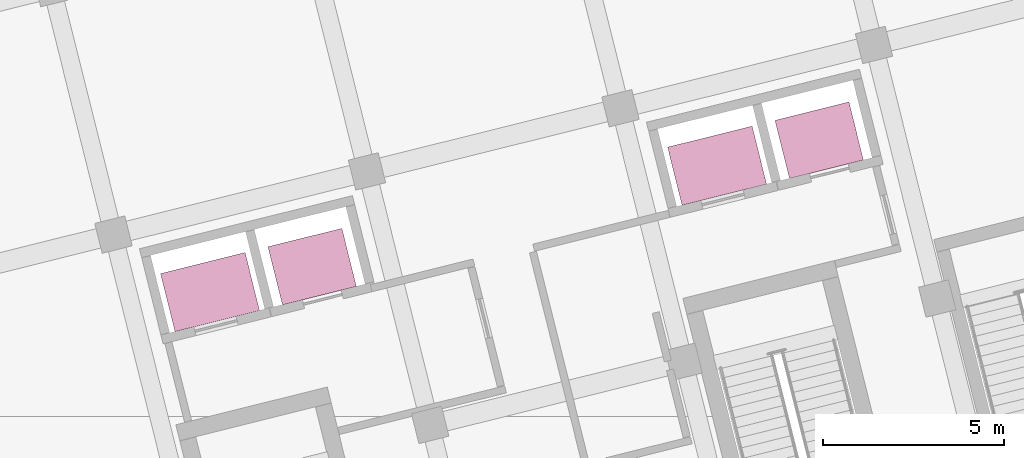
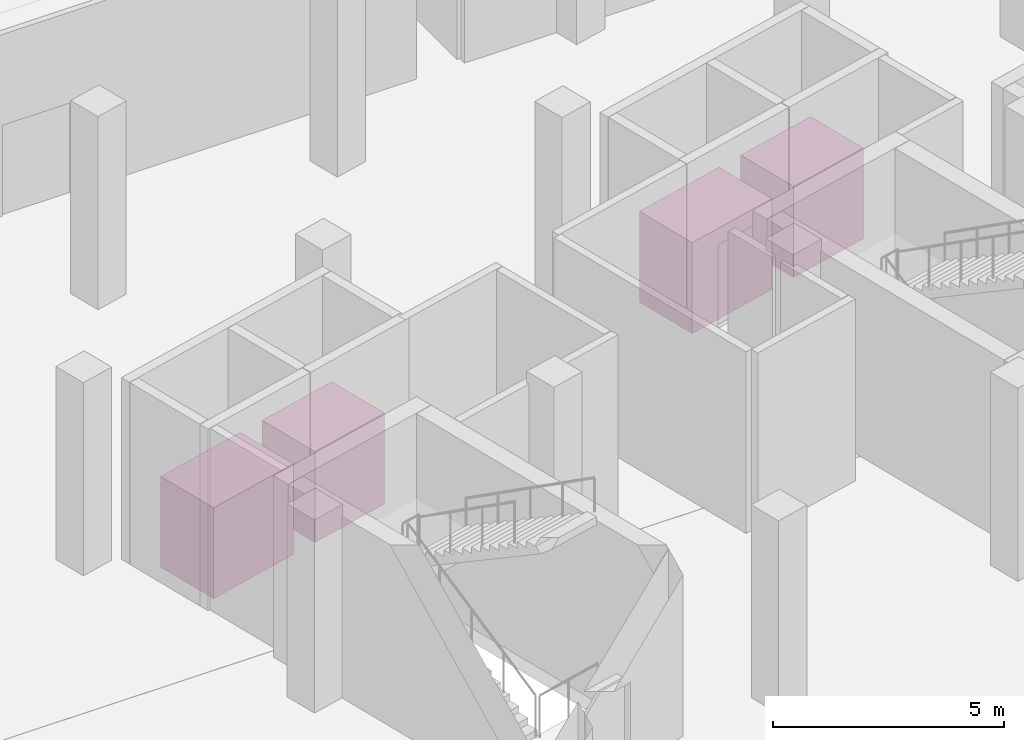
# One storey, part 73 of 73: 4 transport elements.
"""IFC4 building model written with IfcOpenShell, lengths in metres."""

from ifc_helpers import new_model, si_unit, direction, frame, origin, origin_2d, place, context, subcontext, project, spatial, rectangle, extrude, material, type_object, element, save


model = new_model("IFC4")

# Units and contexts
model_context = context("Model", 3, precision=1e-05, world=origin(), true_north=direction((0.0, 1.0)))
body_context = subcontext(model_context, "Body", "Model", "MODEL_VIEW")
ifc_project = project(units=[si_unit("LENGTHUNIT", "METRE"), si_unit("AREAUNIT", "SQUARE_METRE"), si_unit("VOLUMEUNIT", "CUBIC_METRE"), si_unit("PLANEANGLEUNIT", "RADIAN"), si_unit("MASSUNIT", "GRAM", prefix="KILO")], contexts=[model_context])

# Site, building, storey
site_placement = place(None, origin())
site = spatial("IfcSite", under=ifc_project, at=site_placement, CompositionType="ELEMENT")
building_placement = place(site_placement, origin())
building = spatial("IfcBuilding", under=site, at=building_placement, Name="Meriwether Solvik Hall", CompositionType="ELEMENT")
storey_placement = place(building_placement, origin())
storey = spatial("IfcBuildingStorey", under=building, at=storey_placement, Name="L00", CompositionType="ELEMENT", Elevation=0.0)

# Transport elements
ifc_material_1 = material(Name="Stainless Steel AISI 316", Category="steel")
transport_element_type_1 = type_object("IfcTransportElementType", Name="LIFT-FSAE-1800", PredefinedType="ELEVATOR", material=ifc_material_1)
for number, where, z_axis, x_axis, name in (
    (1, (73.555908203125, 61.831787109375, 0.0), (0.0, 0.0, 1.0), (0.970295726276, 0.2419218956, 0.0), "Elevator LF-01"),
    (2, (87.528076171875, 65.3154296875, 0.0), (0.0, 0.0, 1.0), (0.970295726276, 0.2419218956, 0.0), "Elevator LF-02"),
):
    element("IfcTransportElement", number, at=place(storey_placement, frame(where, z_axis=z_axis, x_axis=x_axis)), inside=storey, type_object=transport_element_type_1, Name=name, PredefinedType="ELEVATOR", context=body_context, shape_type="SweptSolid", body=[
        extrude(rectangle(XDim=2.39990234375, YDim=1.64990234375, at=origin_2d()), origin(), (0.0, 0.0, 1.0), 2.39990234375),
    ])
ifc_material_2 = material(Name="Stainless Steel AISI 316", Category="steel")
transport_element_type_2 = type_object("IfcTransportElementType", Name="LIFT-PASS-1600", PredefinedType="ELEVATOR", material=ifc_material_2)
for number, where, z_axis, x_axis, name in (
    (3, (76.369873046875, 62.533447265625, 0.0), (0.0, 0.0, 1.0), (0.970295726276, 0.2419218956, 0.0), "Elevator LP-01"),
    (4, (90.342041015625, 66.01708984375, 0.0), (0.0, 0.0, 1.0), (0.970295726276, 0.2419218956, 0.0), "Elevator LP-02"),
):
    element("IfcTransportElement", number, at=place(storey_placement, frame(where, z_axis=z_axis, x_axis=x_axis)), inside=storey, type_object=transport_element_type_2, Name=name, PredefinedType="ELEVATOR", context=body_context, shape_type="SweptSolid", body=[
        extrude(rectangle(XDim=2.10009765625, YDim=1.64990234375, at=origin_2d()), origin(), (0.0, 0.0, 1.0), 2.39990234375),
    ])

save(model, "model.ifc")
